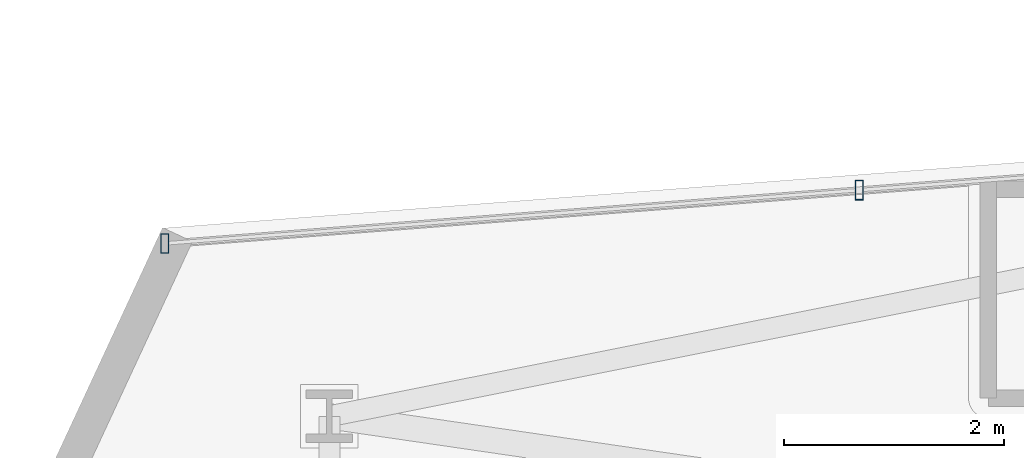
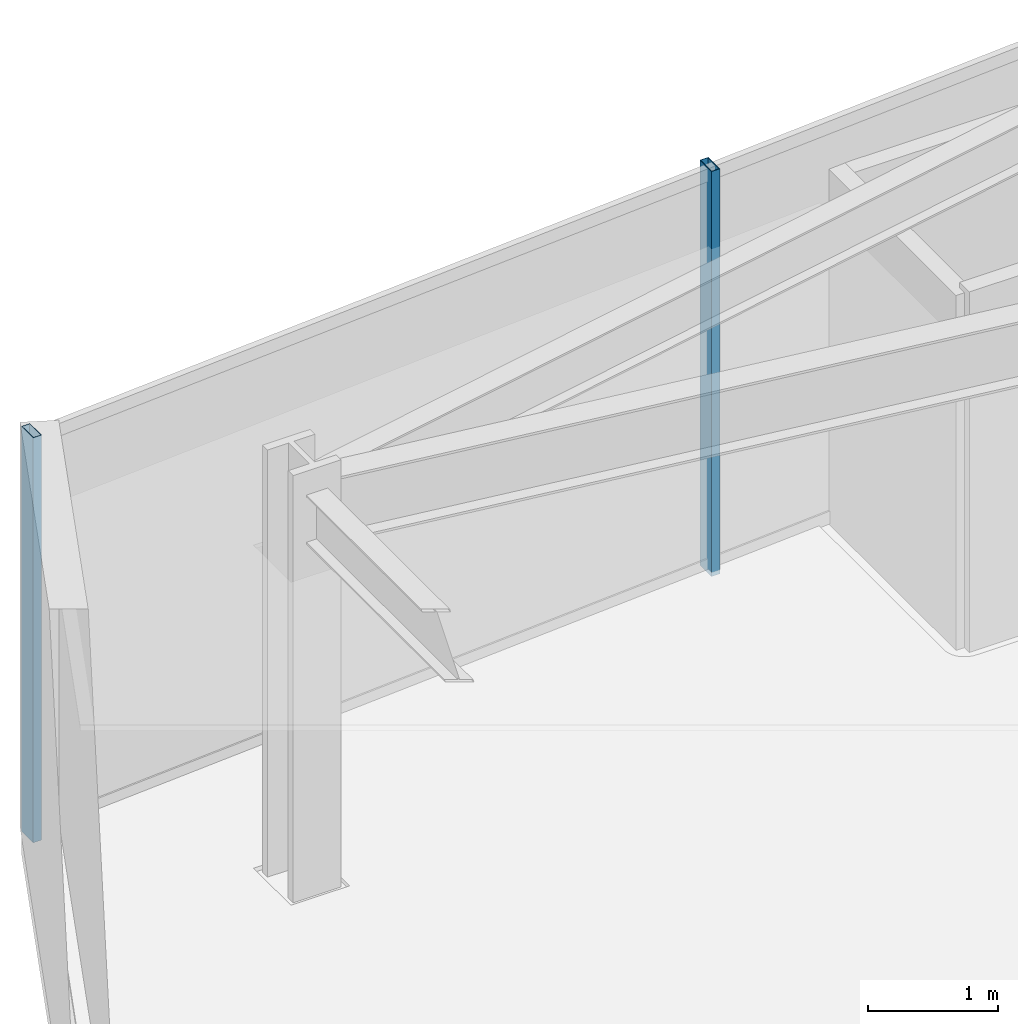
# One storey, part 8 of 30: 2 members, 1 element without a shape of its own.
"""IFC4 building model written with IfcOpenShell, lengths in metres."""

import ifcopenshell
import ifcopenshell.guid

model = None  # the IFC model being written
_history = None  # IfcOwnerHistory: only IFC2X3 demands one
_inside = {}  # id of a spatial element -> (the spatial element, [elements in it])
_under = {}  # id of a project, library or spatial element -> (it, [spatial elements below it])
_declared = {}  # id of a project -> (the project, [libraries it declares])
_typed = {}  # id of a type object -> (the type object, [elements of that type])
_made_of = {}  # id of a material, layer set ... -> (it, [elements and type objects made of it])


def new_model(schema):
    """Start an empty IFC model of exactly this schema.

    Asked for "IFC4X3", IfcOpenShell would pick the latest addendum, in which some entities
    have other attributes; the version numbers below select the first issue.
    IFC2X3 requires an IfcOwnerHistory on every rooted entity: one is made here for all.
    """
    global model, _history
    if schema == "IFC4X3":
        model = ifcopenshell.file(schema_version=(4, 3, 0, 0))
    else:
        model = ifcopenshell.file(schema=schema)
    _inside.clear()
    _under.clear()
    _declared.clear()
    _typed.clear()
    _made_of.clear()
    _history = None
    if model.schema == "IFC2X3":
        org = make("IfcOrganization", Name="unknown")
        user = make(
            "IfcPersonAndOrganization",
            ThePerson=make("IfcPerson", FamilyName="unknown"),
            TheOrganization=org,
        )
        app = make(
            "IfcApplication",
            ApplicationDeveloper=org,
            Version="unknown",
            ApplicationFullName="unknown",
            ApplicationIdentifier="unknown",
        )
        _history = make(
            "IfcOwnerHistory",
            OwningUser=user,
            OwningApplication=app,
            ChangeAction="ADDED",
            CreationDate=0,
        )
    return model


def make(cls, **values):
    """One entity of the class cls with the attributes given. An attribute that is None is left unset."""
    return model.create_entity(
        cls, **{name: value for name, value in values.items() if value is not None}
    )


def rooted(cls, **values):
    """An entity with a GlobalId (a new one), such as an element, a storey or a relation."""
    return make(cls, GlobalId=ifcopenshell.guid.new(), OwnerHistory=_history, **values)


def si_unit(unit_type, name, prefix=None):
    """IfcSIUnit, for example si_unit("LENGTHUNIT", "METRE", prefix="MILLI")."""
    return make("IfcSIUnit", UnitType=unit_type, Prefix=prefix, Name=name)


def assignment(units):
    """IfcUnitAssignment: the units of a project."""
    return None if units is None else make("IfcUnitAssignment", Units=units)


def point(xyz):
    """IfcCartesianPoint."""
    return None if xyz is None else make("IfcCartesianPoint", Coordinates=xyz)


def direction(xyz):
    """IfcDirection."""
    return None if xyz is None else make("IfcDirection", DirectionRatios=xyz)


def frame(location, z_axis=None, x_axis=None):
    """IfcAxis2Placement3D, a coordinate frame: its origin and axes. An axis left out is left unset."""
    return make(
        "IfcAxis2Placement3D",
        Location=point(location),
        Axis=direction(z_axis),
        RefDirection=direction(x_axis),
    )


def frame_2d(location, x_axis=None):
    """IfcAxis2Placement2D, a coordinate frame in the plane: its origin and x axis."""
    return make(
        "IfcAxis2Placement2D", Location=point(location), RefDirection=direction(x_axis)
    )


def origin():
    """The frame at (0, 0, 0) with its axes left unset."""
    return frame((0.0, 0.0, 0.0))


def origin_2d():
    """The frame at (0, 0) in the plane with its x axis left unset."""
    return frame_2d((0.0, 0.0))


def place(relative_to, where):
    """IfcLocalPlacement: puts the frame where relative to a parent placement (None: the world)."""
    return make(
        "IfcLocalPlacement", PlacementRelTo=relative_to, RelativePlacement=where
    )


def context(
    kind, dimensions, precision=None, world=None, true_north=None, identifier=None
):
    """IfcGeometricRepresentationContext, for example the 3D "Model" context."""
    return make(
        "IfcGeometricRepresentationContext",
        ContextIdentifier=identifier,
        ContextType=kind,
        CoordinateSpaceDimension=dimensions,
        Precision=precision,
        WorldCoordinateSystem=world,
        TrueNorth=true_north,
    )


def subcontext(parent, identifier, kind, view, scale=None):
    """IfcGeometricRepresentationSubContext, for example "Body" below "Model"."""
    return make(
        "IfcGeometricRepresentationSubContext",
        ContextIdentifier=identifier,
        ContextType=kind,
        ParentContext=parent,
        TargetScale=scale,
        TargetView=view,
    )


def project(units=None, contexts=None):
    """IfcProject with its units and contexts."""
    return rooted(
        "IfcProject",
        Name="project",
        RepresentationContexts=contexts,
        UnitsInContext=assignment(units),
    )


def spatial(cls, under=None, at=None, **own):
    """A site, building, storey or space (cls), placed at a placement, below another one or the project."""
    s = rooted(cls, ObjectPlacement=at, **own)
    if under is not None:
        _under.setdefault(under.id(), (under, []))[1].append(s)
    return s


def profile(cls, at=None, kind="AREA", **sizes):
    """A parametric profile (cls). Its sizes go by their IFC names, for example OverallWidth=200.0."""
    return make(cls, ProfileType=kind, Position=at, **sizes)


def hollow_rectangle(**sizes):
    """IfcRectangleHollowProfileDef."""
    return profile("IfcRectangleHollowProfileDef", **sizes)


def extrude(swept, where, along, depth):
    """IfcExtrudedAreaSolid: the profile swept, set in the frame where, extruded along a direction by depth."""
    return make(
        "IfcExtrudedAreaSolid",
        SweptArea=swept,
        Position=where,
        ExtrudedDirection=direction(along),
        Depth=depth,
    )


def shape(context_of_items, identifier, shape_type, items):
    """IfcShapeRepresentation: the items that make up one representation, for example the "Body"."""
    return make(
        "IfcShapeRepresentation",
        ContextOfItems=context_of_items,
        RepresentationIdentifier=identifier,
        RepresentationType=shape_type,
        Items=items,
    )


def material(Name=None, Category=None):
    """IfcMaterial."""
    return make("IfcMaterial", Name=Name, Category=Category)


def layer(
    of_material, thickness, ventilated=None, Name=None, Category=None, Priority=None
):
    """IfcMaterialLayer: one layer of a wall or slab, of a material (None: an air gap)."""
    return make(
        "IfcMaterialLayer",
        Material=of_material,
        LayerThickness=thickness,
        IsVentilated=ventilated,
        Name=Name,
        Category=Category,
        Priority=Priority,
    )


def layer_set(layers, Name=None):
    """IfcMaterialLayerSet."""
    return make("IfcMaterialLayerSet", MaterialLayers=layers, LayerSetName=Name)


def material_profile(
    of_material, cross_section, Name=None, Category=None, Priority=None
):
    """IfcMaterialProfile: a cross section and its material."""
    return make(
        "IfcMaterialProfile",
        Name=Name,
        Material=of_material,
        Profile=cross_section,
        Priority=Priority,
        Category=Category,
    )


def profile_set(profiles, Name=None, composite=None):
    """IfcMaterialProfileSet."""
    return make(
        "IfcMaterialProfileSet",
        Name=Name,
        MaterialProfiles=profiles,
        CompositeProfile=composite,
    )


def made_of(thing, what):
    """Note that an element or type object is made of a material, layer set ...; save() writes the relation."""
    if what is not None:
        _made_of.setdefault(what.id(), (what, []))[1].append(thing)
    return thing


def type_object(cls, material=None, **own):
    """A type object (cls), such as IfcWallType, which elements share."""
    return made_of(rooted(cls, **own), material)


def element(
    cls,
    number,
    at=None,
    inside=None,
    cuts=None,
    type_object=None,
    material=None,
    context=None,
    identifier="Body",
    shape_type=None,
    held_by="IfcProductDefinitionShape",
    body=None,
    shapes=None,
    **own,
):
    """One element of the class cls, such as IfcWall. Its Tag is "e" and its number.

    at: its placement. inside: the storey or other place that contains it. cuts: it is an
    opening in that element (IfcRelVoidsElement). A single representation is given by context,
    identifier, shape_type and body (its items); several are given by shapes. held_by: the class
    of the entity that holds the representations. save() writes the other relations.
    """
    e = rooted(cls, Tag="e%d" % number, ObjectPlacement=at, **own)
    if body is not None:
        shapes = [shape(context, identifier, shape_type, body)]
    if shapes is not None:
        e.Representation = make(held_by, Representations=shapes)
    if inside is not None:
        _inside.setdefault(inside.id(), (inside, []))[1].append(e)
    if cuts is not None:
        rooted(
            "IfcRelVoidsElement", RelatingBuildingElement=cuts, RelatedOpeningElement=e
        )
    if type_object is not None:
        _typed.setdefault(type_object.id(), (type_object, []))[1].append(e)
    return made_of(e, material)


def aggregate(whole, parts):
    """IfcRelAggregates: a whole, such as a stair, and the parts it consists of."""
    return rooted("IfcRelAggregates", RelatingObject=whole, RelatedObjects=parts)


def save(model, path):
    """Write the relations noted so far, then the file.

    IfcRelAggregates (storeys below a building ...), IfcRelContainedInSpatialStructure (elements
    in a storey), IfcRelDefinesByType, IfcRelAssociatesMaterial and IfcRelDeclares: one each for
    every whole, place, type object, material and project.
    """
    for whole, parts in _under.values():
        aggregate(whole, parts)
    for where, things in _inside.values():
        rooted(
            "IfcRelContainedInSpatialStructure",
            RelatedElements=things,
            RelatingStructure=where,
        )
    for kind, things in _typed.values():
        rooted("IfcRelDefinesByType", RelatedObjects=things, RelatingType=kind)
    for what, things in _made_of.values():
        rooted("IfcRelAssociatesMaterial", RelatedObjects=things, RelatingMaterial=what)
    for by, libraries in _declared.values():
        rooted("IfcRelDeclares", RelatingContext=by, RelatedDefinitions=libraries)
    model.write(path)


model = new_model("IFC4")

# Units and contexts
model_context = context("Model", 3, precision=1e-05, world=origin(), true_north=direction((0.0, 1.0)))
body_context = subcontext(model_context, "Body", "Model", "MODEL_VIEW")
ifc_project = project(units=[si_unit("LENGTHUNIT", "METRE"), si_unit("AREAUNIT", "SQUARE_METRE"), si_unit("VOLUMEUNIT", "CUBIC_METRE"), si_unit("PLANEANGLEUNIT", "RADIAN"), si_unit("MASSUNIT", "GRAM", prefix="KILO")], contexts=[model_context])

# Site, building, storey
site_placement = place(None, origin())
site = spatial("IfcSite", under=ifc_project, at=site_placement, CompositionType="ELEMENT")
building_placement = place(site_placement, origin())
building = spatial("IfcBuilding", under=site, at=building_placement, Name="Veymaron Broadcast Tower", CompositionType="ELEMENT")
storey_placement = place(building_placement, frame((0.0, 0.0, 37.800048828125)))
storey = spatial("IfcBuildingStorey", under=building, at=storey_placement, Name="L07", CompositionType="ELEMENT", Elevation=37.800048828125)

# Curtain wall, members
ifc_material_1 = material(Name="Anodised aluminium AA 6063-T6 and laminated low-E dark glass", Category="aluminium")
ifc_layer = layer(ifc_material_1, 0.179931640625)
ifc_layer_set = layer_set([ifc_layer], Name="Anodised aluminium AA 6063-T6 and laminated low-E dark glass")
curtain_wall_type = type_object("IfcCurtainWallType", Name="CW-SYS-02", PredefinedType="NOTDEFINED", material=ifc_layer_set)
curtain_wall_placement = place(storey_placement, origin())
curtain_wall = element("IfcCurtainWall", 1, at=curtain_wall_placement, inside=storey, type_object=curtain_wall_type, Name="L07 dark-glass curtain wall CW-L07-E11-1", PredefinedType="NOTDEFINED")
ifc_material_2 = material(Name="Anodised aluminium AA 6063-T6", Category="aluminium")
ifc_material_profile = material_profile(ifc_material_2, hollow_rectangle(XDim=0.074951171875, YDim=0.179931640625, WallThickness=0.0048828125, at=origin_2d()), Name="AL180X75X5")
ifc_profile_set = profile_set([ifc_material_profile], Name="Anodised aluminium AA 6063-T6")
member_type = type_object("IfcMemberType", Name="CW-MUL-02", PredefinedType="MULLION", material=ifc_profile_set)
member_1_placement = place(storey_placement, frame((12.82666015625, 29.441650390625, 0.0), z_axis=(0.0, 0.0, 1.0), x_axis=(1.0, 0.0, 0.0)))
member_1 = element("IfcMember", 2, at=member_1_placement, type_object=member_type, Name="CW-L07-E11-1 mullion 2", PredefinedType="MULLION", context=body_context, shape_type="SweptSolid", body=[
    extrude(hollow_rectangle(XDim=0.074951171875, YDim=0.179931640625, WallThickness=0.0048828125, at=origin_2d()), origin(), (0.0, 0.0, 1.0), 3.81005859375),
])
member_2_placement = place(storey_placement, frame((6.5107421875, 28.95654296875, 0.0), z_axis=(0.0, 0.0, 1.0), x_axis=(1.0, 0.0, 0.0)))
member_2 = element("IfcMember", 3, at=member_2_placement, type_object=member_type, Name="CW-L07-E11-1 mullion 3", PredefinedType="MULLION", context=body_context, shape_type="SweptSolid", body=[
    extrude(hollow_rectangle(XDim=0.074951171875, YDim=0.179931640625, WallThickness=0.0048828125, at=origin_2d()), origin(), (0.0, 0.0, 1.0), 3.81005859375),
])
aggregate(curtain_wall, [member_1, member_2])

save(model, "model.ifc")
